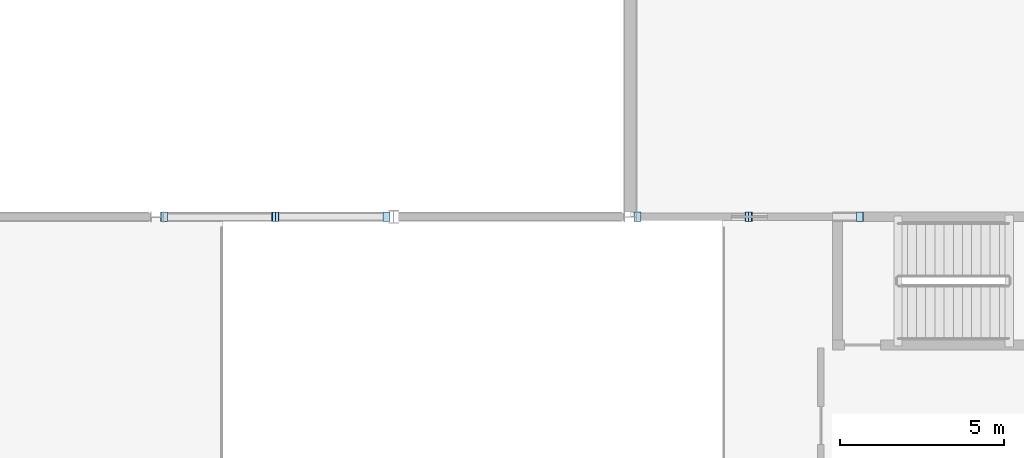
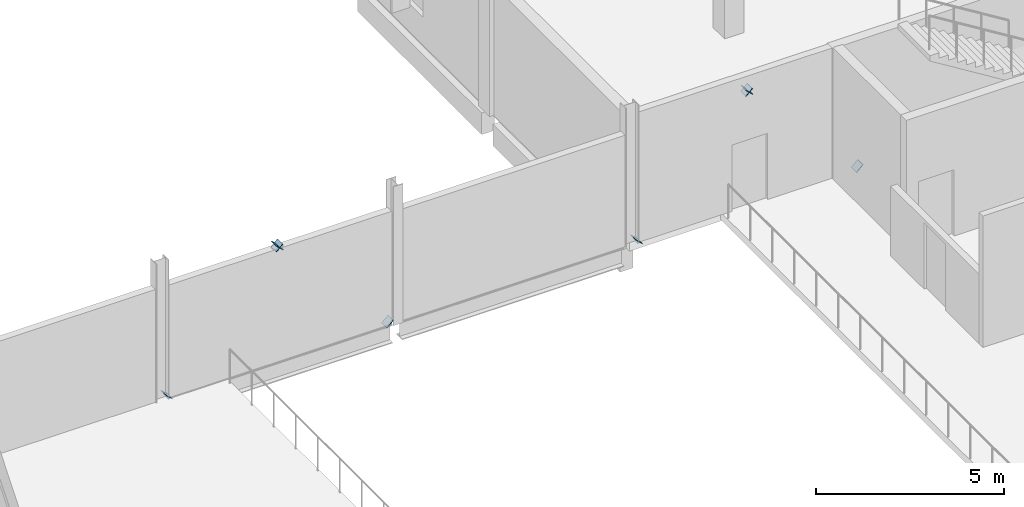
# One storey, part 64 of 76: 8 plates.
"""IFC4 building model written with IfcOpenShell, lengths in metres."""

from ifc_helpers import new_model, si_unit, direction, frame, origin, origin_2d, place, context, subcontext, project, spatial, rectangle, extrude, material, layer, layer_set, type_object, element, save


model = new_model("IFC4")

# Units and contexts
model_context = context("Model", 3, precision=1e-05, world=origin(), true_north=direction((0.0, 1.0)))
body_context = subcontext(model_context, "Body", "Model", "MODEL_VIEW")
ifc_project = project(units=[si_unit("LENGTHUNIT", "METRE"), si_unit("AREAUNIT", "SQUARE_METRE"), si_unit("VOLUMEUNIT", "CUBIC_METRE"), si_unit("PLANEANGLEUNIT", "RADIAN"), si_unit("MASSUNIT", "GRAM", prefix="KILO"), si_unit("THERMODYNAMICTEMPERATUREUNIT", "KELVIN"), si_unit("POWERUNIT", "WATT")], contexts=[model_context])

# Site, building, storey
site_placement = place(None, origin())
site = spatial("IfcSite", under=ifc_project, at=site_placement, CompositionType="ELEMENT")
building_placement = place(site_placement, origin())
building = spatial("IfcBuilding", under=site, at=building_placement, Name="Kaldorven Railside Theatre", CompositionType="ELEMENT")
storey_placement = place(building_placement, frame((0.0, 0.0, 14.39990234375)))
storey = spatial("IfcBuildingStorey", under=building, at=storey_placement, Name="L03", CompositionType="ELEMENT", Elevation=14.39990234375)

# Plates
ifc_material = material(Name="Steel S355", Category="steel")
ifc_layer = layer(ifc_material, 0.02001953125, Name="Steel S355")
ifc_layer_set = layer_set([ifc_layer], Name="Steel S355")
plate_type = type_object("IfcPlateType", Name="PLT-GUS-20", PredefinedType="USERDEFINED", material=ifc_layer_set)
for number, where, z_axis, x_axis, name in (
    (1, (94.607666015625, 112.800048828125, 0.02685546875), (0.680465121782, 0.0, 0.732780470562), (0.0, 1.0, 0.0), "End cap gusset plate PL-0065"),
    (2, (97.99853515625, 112.800048828125, 3.6787109375), (0.680465121782, 0.0, 0.732780470562), (0.0, 1.0, 0.0), "End cap gusset plate PL-0066"),
    (3, (101.392333984375, 112.800048828125, 0.02685546875), (-0.680465121782, 0.0, 0.732780470562), (0.0, -1.0, 0.0), "End cap gusset plate PL-0067"),
    (4, (98.00146484375, 112.800048828125, 3.6787109375), (-0.680465121782, 0.0, 0.732780470562), (0.0, -1.0, 0.0), "End cap gusset plate PL-0068"),
    (5, (109.0078125, 112.800048828125, 0.02685546875), (0.680465121782, 0.0, 0.732780470562), (0.0, 1.0, 0.0), "End cap gusset plate PL-0069"),
    (6, (112.398681640625, 112.800048828125, 3.6787109375), (0.680465121782, 0.0, 0.732780470562), (0.0, 1.0, 0.0), "End cap gusset plate PL-0070"),
    (7, (115.792236328125, 112.800048828125, 0.02685546875), (-0.680465121782, 0.0, 0.732780470562), (0.0, -1.0, 0.0), "End cap gusset plate PL-0071"),
    (8, (112.4013671875, 112.800048828125, 3.6787109375), (-0.680465121782, 0.0, 0.732780470562), (0.0, -1.0, 0.0), "End cap gusset plate PL-0072"),
):
    element("IfcPlate", number, at=place(storey_placement, frame(where, z_axis=z_axis, x_axis=x_axis)), inside=storey, type_object=plate_type, Name=name, ObjectType="GUSSET PLATE", PredefinedType="USERDEFINED", context=body_context, shape_type="SweptSolid", body=[
        extrude(rectangle(XDim=0.279052734375, YDim=0.279052734375, at=origin_2d()), origin(), (0.0, 0.0, 1.0), 0.02001953125),
    ])

save(model, "model.ifc")
